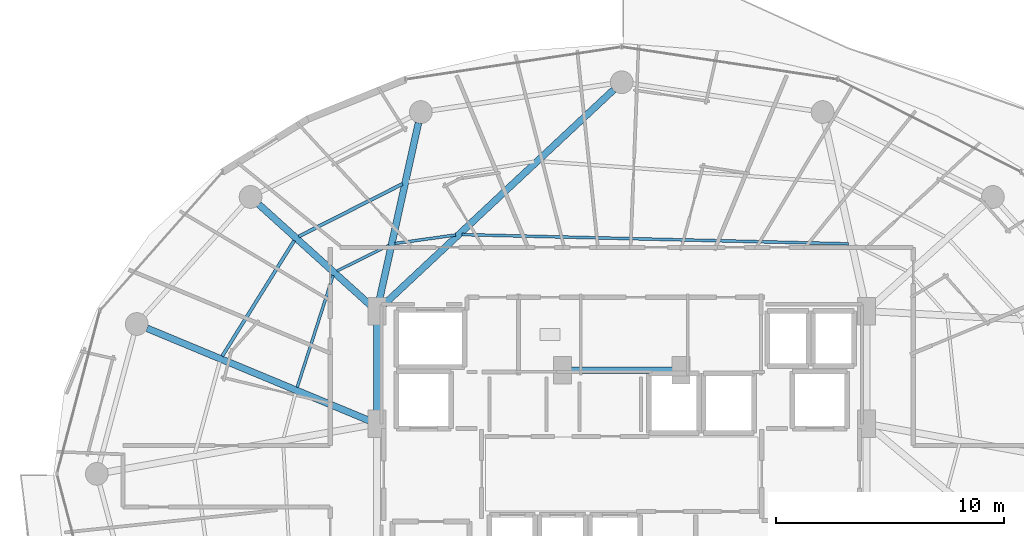
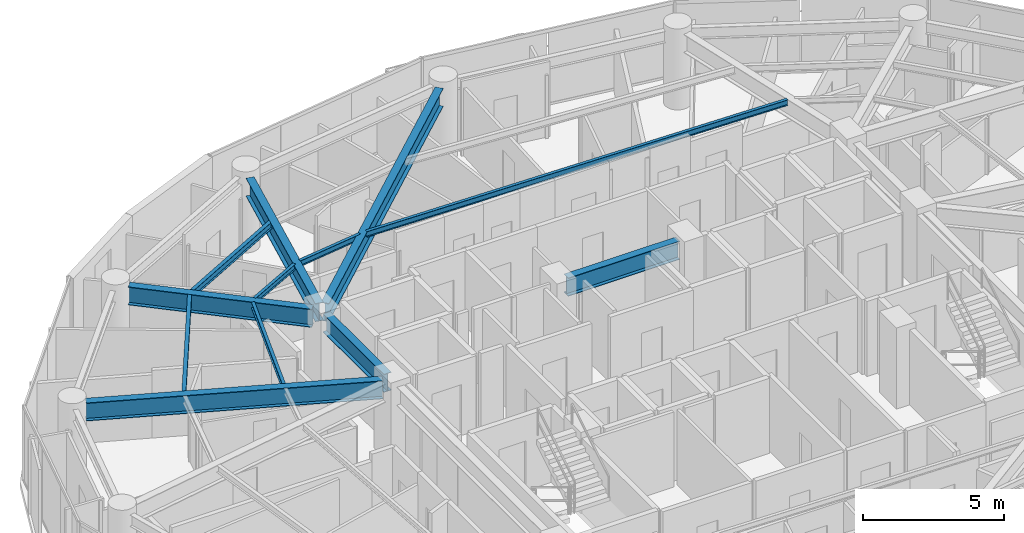
# One storey, part 9 of 28: 12 beams.
"""IFC4 building model written with IfcOpenShell, lengths in metres."""

from ifc_helpers import new_model, si_unit, direction, frame, origin, origin_2d, place, context, subcontext, project, spatial, i_section, extrude, material, material_profile, profile_set, type_object, element, save


model = new_model("IFC4")

# Units and contexts
model_context = context("Model", 3, precision=1e-05, world=origin(), true_north=direction((0.0, 1.0)))
body_context = subcontext(model_context, "Body", "Model", "MODEL_VIEW")
ifc_project = project(units=[si_unit("LENGTHUNIT", "METRE"), si_unit("AREAUNIT", "SQUARE_METRE"), si_unit("VOLUMEUNIT", "CUBIC_METRE"), si_unit("PLANEANGLEUNIT", "RADIAN"), si_unit("MASSUNIT", "GRAM", prefix="KILO")], contexts=[model_context])

# Site, building, storey
site_placement = place(None, origin())
site = spatial("IfcSite", under=ifc_project, at=site_placement, CompositionType="ELEMENT")
building_placement = place(site_placement, origin())
building = spatial("IfcBuilding", under=site, at=building_placement, Name="Vorneva Point Tower", CompositionType="ELEMENT")
storey_placement = place(building_placement, frame((0.0, 0.0, 146.60009765625)))
storey = spatial("IfcBuildingStorey", under=building, at=storey_placement, Name="L39", CompositionType="ELEMENT", Elevation=146.60009765625)

# Beams
ifc_material = material(Name="Steel S355", Category="steel")
ifc_material_profile_1 = material_profile(ifc_material, i_section(OverallWidth=0.300048828125, OverallDepth=0.7880859375, WebThickness=0.014404296875, FlangeThickness=0.02197265625, at=origin_2d()), Name="80Sh1")
ifc_profile_set_1 = profile_set([ifc_material_profile_1], Name="Steel S355")
beam_type_1 = type_object("IfcBeamType", Name="BM-GRD-80Sh1", PredefinedType="USERDEFINED", material=ifc_profile_set_1)
beam_1_placement = place(storey_placement, frame((37.6435546875, 42.86669921875, 2.845947265625), z_axis=(-0.730490907119, -0.682922422107, 0.0), x_axis=(0.682922422107, -0.730490907119, 0.0)))
element("IfcBeam", 1, at=beam_1_placement, inside=storey, type_object=beam_type_1, Name="L39 Radial Primary Girder 05", ObjectType="GIRDER", PredefinedType="USERDEFINED", context=body_context, shape_type="SweptSolid", body=[
    extrude(i_section(OverallWidth=0.300048828125, OverallDepth=0.7880859375, WebThickness=0.014404296875, FlangeThickness=0.02197265625, at=origin_2d()), origin(), (0.0, 0.0, 1.0), 13.88818359375),
])
beam_2_placement = place(storey_placement, frame((29.073974609375, 41.414306640625, 2.845947265625), z_axis=(-0.215520500859, -0.976499315775, 0.0), x_axis=(0.976499315775, -0.215520500859, 0.0)))
element("IfcBeam", 2, at=beam_2_placement, inside=storey, type_object=beam_type_1, Name="L39 Radial Primary Girder 06", ObjectType="GIRDER", PredefinedType="USERDEFINED", context=body_context, shape_type="SweptSolid", body=[
    extrude(i_section(OverallWidth=0.300048828125, OverallDepth=0.7880859375, WebThickness=0.014404296875, FlangeThickness=0.02197265625, at=origin_2d()), origin(), (0.0, 0.0, 1.0), 8.123291015625),
])
beam_3_placement = place(storey_placement, frame((22.063232421875, 37.835205078125, 2.845947265625), z_axis=(0.742084379637, -0.670306477292, 0.0), x_axis=(0.670306477292, 0.742084379637, 0.0)))
element("IfcBeam", 3, at=beam_3_placement, inside=storey, type_object=beam_type_1, Name="L39 Radial Primary Girder 07", ObjectType="GIRDER", PredefinedType="USERDEFINED", context=body_context, shape_type="SweptSolid", body=[
    extrude(i_section(OverallWidth=0.300048828125, OverallDepth=0.7880859375, WebThickness=0.014404296875, FlangeThickness=0.02197265625, at=origin_2d()), origin(), (0.0, 0.0, 1.0), 6.649658203125),
])
beam_4_placement = place(storey_placement, frame((17.1552734375, 32.39501953125, 2.845947265625), z_axis=(0.923440676596, -0.383741210723, 0.0), x_axis=(0.383741210723, 0.923440676596, 0.0)))
element("IfcBeam", 4, at=beam_4_placement, inside=storey, type_object=beam_type_1, Name="L39 Radial Primary Girder 08", ObjectType="GIRDER", PredefinedType="USERDEFINED", context=body_context, shape_type="SweptSolid", body=[
    extrude(i_section(OverallWidth=0.300048828125, OverallDepth=0.7880859375, WebThickness=0.014404296875, FlangeThickness=0.02197265625, at=origin_2d()), origin(), (0.0, 0.0, 1.0), 10.591552734375),
])
beam_5_placement = place(storey_placement, frame((27.25, 28.52001953125, 2.845947265625), z_axis=(0.0, 1.0, 0.0), x_axis=(-1.0, 0.0, 0.0)))
element("IfcBeam", 5, at=beam_5_placement, inside=storey, type_object=beam_type_1, Name="L39 Core Tie Girder CT2", ObjectType="GIRDER", PredefinedType="USERDEFINED", context=body_context, shape_type="SweptSolid", body=[
    extrude(i_section(OverallWidth=0.300048828125, OverallDepth=0.7880859375, WebThickness=0.014404296875, FlangeThickness=0.02197265625, at=origin_2d()), origin(), (0.0, 0.0, 1.0), 4.31005859375),
])
beam_6_placement = place(storey_placement, frame((35.719970703125, 30.550048828125, 2.845947265625), z_axis=(1.0, 0.0, 0.0), x_axis=(0.0, 1.0, 0.0)))
element("IfcBeam", 6, at=beam_6_placement, inside=storey, type_object=beam_type_1, Name="L39 Core Tie Girder CT8", ObjectType="GIRDER", PredefinedType="USERDEFINED", context=body_context, shape_type="SweptSolid", body=[
    extrude(i_section(OverallWidth=0.300048828125, OverallDepth=0.7880859375, WebThickness=0.014404296875, FlangeThickness=0.02197265625, at=origin_2d()), origin(), (0.0, 0.0, 1.0), 4.56005859375),
])
ifc_material_profile_2 = material_profile(ifc_material, i_section(OverallWidth=0.1240234375, OverallDepth=0.248046875, WebThickness=0.0048828125, FlangeThickness=0.008056640625, at=origin_2d()), Name="25B1")
ifc_profile_set_2 = profile_set([ifc_material_profile_2], Name="Steel S355")
beam_type_2 = type_object("IfcBeamType", Name="BM-JST-25B1", PredefinedType="JOIST", material=ifc_profile_set_2)
beam_7_placement = place(storey_placement, frame((47.9609375, 36.102783203125, 3.115966796875), z_axis=(-0.99971415121, 0.023908489487, 0.0), x_axis=(-0.023908489487, -0.99971415121, 0.0)))
element("IfcBeam", 7, at=beam_7_placement, inside=storey, type_object=beam_type_2, Name="L39 Secondary Floor Beam 2.04", PredefinedType="JOIST", context=body_context, shape_type="SweptSolid", body=[
    extrude(i_section(OverallWidth=0.1240234375, OverallDepth=0.248046875, WebThickness=0.0048828125, FlangeThickness=0.008056640625, at=origin_2d()), origin(), (0.0, 0.0, 1.0), 16.981689453125),
])
beam_8_placement = place(storey_placement, frame((30.709716796875, 36.492919921875, 3.115966796875), z_axis=(-0.990345473583, -0.138621221154, 0.0), x_axis=(0.138621221154, -0.990345473583, 0.0)))
element("IfcBeam", 8, at=beam_8_placement, inside=storey, type_object=beam_type_2, Name="L39 Secondary Floor Beam 2.05", PredefinedType="JOIST", context=body_context, shape_type="SweptSolid", body=[
    extrude(i_section(OverallWidth=0.1240234375, OverallDepth=0.248046875, WebThickness=0.0048828125, FlangeThickness=0.008056640625, at=origin_2d()), origin(), (0.0, 0.0, 1.0), 2.6982421875),
])
beam_9_placement = place(storey_placement, frame((27.77734375, 36.03857421875, 3.115966796875), z_axis=(-0.896525372152, -0.442992389425, 0.0), x_axis=(0.442992389425, -0.896525372152, 0.0)))
element("IfcBeam", 9, at=beam_9_placement, inside=storey, type_object=beam_type_2, Name="L39 Secondary Floor Beam 2.06", PredefinedType="JOIST", context=body_context, shape_type="SweptSolid", body=[
    extrude(i_section(OverallWidth=0.1240234375, OverallDepth=0.248046875, WebThickness=0.0048828125, FlangeThickness=0.008056640625, at=origin_2d()), origin(), (0.0, 0.0, 1.0), 2.5478515625),
])
beam_10_placement = place(storey_placement, frame((25.3271484375, 34.71728515625, 3.115966796875), z_axis=(-0.305506866133, -0.952189873263, 0.0), x_axis=(0.952189873263, -0.305506866133, 0.0)))
element("IfcBeam", 10, at=beam_10_placement, inside=storey, type_object=beam_type_2, Name="L39 Secondary Floor Beam 2.07", PredefinedType="JOIST", context=body_context, shape_type="SweptSolid", body=[
    extrude(i_section(OverallWidth=0.1240234375, OverallDepth=0.248046875, WebThickness=0.0048828125, FlangeThickness=0.008056640625, at=origin_2d()), origin(), (0.0, 0.0, 1.0), 5.160888671875),
])
ifc_material_profile_3 = material_profile(ifc_material, i_section(OverallWidth=0.14892578125, OverallDepth=0.298095703125, WebThickness=0.005615234375, FlangeThickness=0.008056640625, at=origin_2d()), Name="30B1")
ifc_profile_set_3 = profile_set([ifc_material_profile_3], Name="Steel S355")
beam_type_3 = type_object("IfcBeamType", Name="BM-JST-30B1", PredefinedType="JOIST", material=ifc_profile_set_3)
beam_11_placement = place(storey_placement, frame((28.373046875, 38.734130859375, 3.0908203125), z_axis=(-0.892189333363, -0.451661591717, 0.0), x_axis=(0.451661591717, -0.892189333363, 0.0)))
element("IfcBeam", 11, at=beam_11_placement, inside=storey, type_object=beam_type_3, Name="L39 Secondary Floor Beam 1.06", PredefinedType="JOIST", context=body_context, shape_type="SweptSolid", body=[
    extrude(i_section(OverallWidth=0.14892578125, OverallDepth=0.298095703125, WebThickness=0.005615234375, FlangeThickness=0.008056640625, at=origin_2d()), origin(), (0.0, 0.0, 1.0), 5.109130859375),
])
beam_12_placement = place(storey_placement, frame((23.61865234375, 36.2470703125, 3.0908203125), z_axis=(-0.52882428102, -0.848731335467, 0.0), x_axis=(0.848731335467, -0.52882428102, 0.0)))
element("IfcBeam", 12, at=beam_12_placement, inside=storey, type_object=beam_type_3, Name="L39 Secondary Floor Beam 1.07", PredefinedType="JOIST", context=body_context, shape_type="SweptSolid", body=[
    extrude(i_section(OverallWidth=0.14892578125, OverallDepth=0.298095703125, WebThickness=0.005615234375, FlangeThickness=0.008056640625, at=origin_2d()), origin(), (0.0, 0.0, 1.0), 5.98095703125),
])

save(model, "model.ifc")
